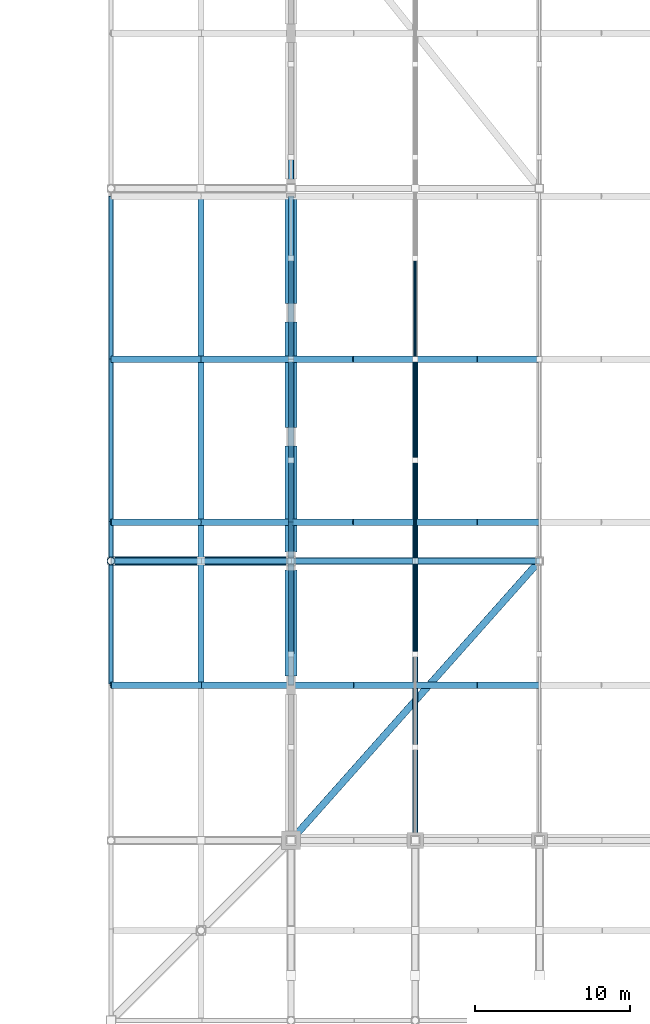
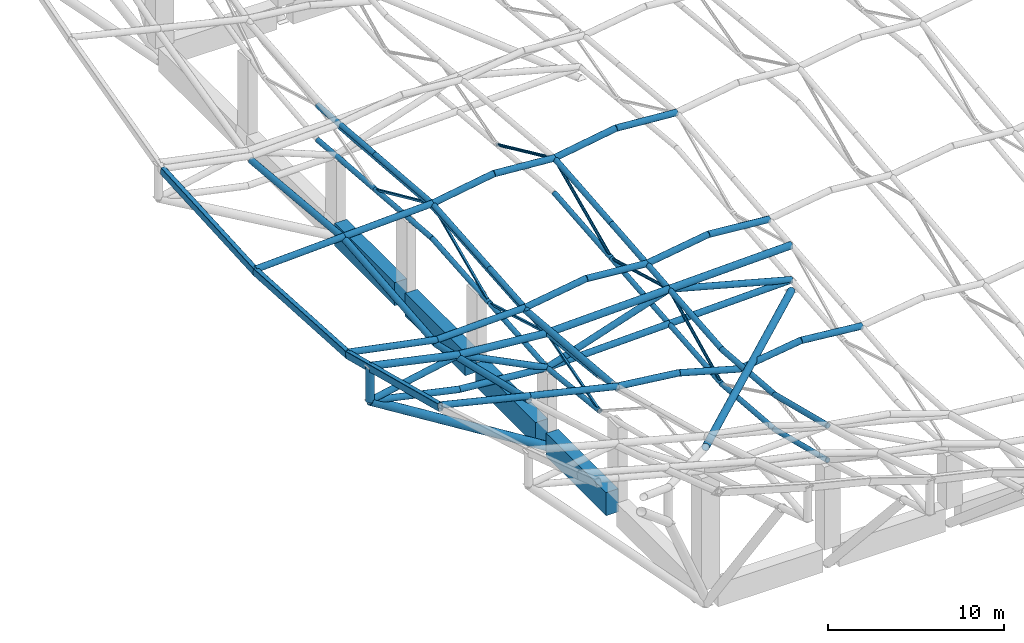
# One storey, part 3 of 75: 67 members, 7 beams.
"""IFC4 building model written with IfcOpenShell, lengths in metres."""

from ifc_helpers import new_model, si_unit, direction, frame, origin, origin_2d, place, context, subcontext, project, spatial, rectangle, hollow_rectangle, hollow_circle, extrude, material, material_profile, profile_set, type_object, element, save


model = new_model("IFC4")

# Units and contexts
model_context = context("Model", 3, precision=1e-05, world=origin(), true_north=direction((0.0, 1.0)))
body_context = subcontext(model_context, "Body", "Model", "MODEL_VIEW")
ifc_project = project(units=[si_unit("LENGTHUNIT", "METRE"), si_unit("AREAUNIT", "SQUARE_METRE"), si_unit("VOLUMEUNIT", "CUBIC_METRE"), si_unit("PLANEANGLEUNIT", "RADIAN"), si_unit("MASSUNIT", "GRAM", prefix="KILO")], contexts=[model_context])

# Site, building, storey
site_placement = place(None, origin())
site = spatial("IfcSite", under=ifc_project, at=site_placement, CompositionType="ELEMENT")
building_placement = place(site_placement, origin())
building = spatial("IfcBuilding", under=site, at=building_placement, Name="Khorjan Park Terminus", CompositionType="ELEMENT")
storey_placement = place(building_placement, frame((0.0, 0.0, 16.2)))
storey = spatial("IfcBuildingStorey", under=building, at=storey_placement, Name="L03", CompositionType="ELEMENT", Elevation=16.2)

# Members
ifc_material_1 = material(Name="Steel S355", Category="steel")
ifc_material_profile_1 = material_profile(ifc_material_1, hollow_circle(Radius=0.0969, WallThickness=0.01, at=origin_2d()), Name="CHS 193.7x10")
ifc_profile_set_1 = profile_set([ifc_material_profile_1], Name="Steel S355")
member_type_1 = type_object("IfcMemberType", Name="MB-BR-194", PredefinedType="BRACE", material=ifc_profile_set_1)
member_1_placement = place(storey_placement, frame((56.0, 38.0, 3.7405), z_axis=(0.0, 0.898043521521, 0.439906619017), x_axis=(-1.0, 0.0, 0.0)))
element("IfcMember", 1, at=member_1_placement, inside=storey, type_object=member_type_1, Name="Upper shell fold space-truss web diagonal (2)", PredefinedType="BRACE", context=body_context, shape_type="SweptSolid", body=[
    extrude(hollow_circle(Radius=0.0969, WallThickness=0.01, at=origin_2d()), origin(), (0.0, 0.0, 1.0), 6.6812),
])
member_2_placement = place(storey_placement, frame((56.0, 44.0, 6.6796), z_axis=(0.0, 0.96311775067, -0.269080282341), x_axis=(-1.0, 0.0, 0.0)))
element("IfcMember", 2, at=member_2_placement, inside=storey, type_object=member_type_1, Name="Upper shell fold space-truss web diagonal (2)", PredefinedType="BRACE", context=body_context, shape_type="SweptSolid", body=[
    extrude(hollow_circle(Radius=0.0969, WallThickness=0.01, at=origin_2d()), origin(), (0.0, 0.0, 1.0), 6.7489),
])
for number, where, z_axis, x_axis, name in (
    (3, (56.0, 50.5, 4.8636), (0.0, 0.908808688461, 0.417213096364), (-1.0, 0.0, 0.0), "Upper shell fold space-truss web diagonal (2)"),
    (4, (56.0, 57.0, 7.8476), (0.0, 0.908808688461, -0.417213096364), (-1.0, 0.0, 0.0), "Upper shell fold space-truss web diagonal (2)"),
):
    element("IfcMember", number, at=place(storey_placement, frame(where, z_axis=z_axis, x_axis=x_axis)), inside=storey, type_object=member_type_1, Name=name, PredefinedType="BRACE", context=body_context, shape_type="SweptSolid", body=[
        extrude(hollow_circle(Radius=0.0969, WallThickness=0.01, at=origin_2d()), origin(), (0.0, 0.0, 1.0), 7.1522),
    ])
ifc_material_profile_2 = material_profile(ifc_material_1, hollow_rectangle(XDim=0.15, YDim=0.15, WallThickness=0.01, InnerFilletRadius=0.01, OuterFilletRadius=0.02, at=origin_2d()), Name="SHS 150x150x10")
ifc_profile_set_2 = profile_set([ifc_material_profile_2], Name="Steel S355")
member_type_2 = type_object("IfcMemberType", Name="MB-BR-SHS150", PredefinedType="BRACE", material=ifc_profile_set_2)
member_3_placement = place(storey_placement, frame((48.0, 38.0, 4.6833), z_axis=(0.0, 0.959849356938, 0.280515974565), x_axis=(-1.0, 0.0, 0.0)))
element("IfcMember", 5, at=member_3_placement, inside=storey, type_object=member_type_2, Name="Upper shell fold space-truss web diagonal (1)", PredefinedType="BRACE", context=body_context, shape_type="SweptSolid", body=[
    extrude(hollow_rectangle(XDim=0.15, YDim=0.15, WallThickness=0.01, InnerFilletRadius=0.01, OuterFilletRadius=0.02, at=origin_2d()), origin(), (0.0, 0.0, 1.0), 6.251),
])
member_4_placement = place(storey_placement, frame((48.0, 44.0, 6.4368), z_axis=(0.0, 0.961047706575, -0.276382535062), x_axis=(-1.0, 0.0, 0.0)))
element("IfcMember", 6, at=member_4_placement, inside=storey, type_object=member_type_2, Name="Upper shell fold space-truss web diagonal (1)", PredefinedType="BRACE", context=body_context, shape_type="SweptSolid", body=[
    extrude(hollow_rectangle(XDim=0.15, YDim=0.15, WallThickness=0.01, InnerFilletRadius=0.01, OuterFilletRadius=0.02, at=origin_2d()), origin(), (0.0, 0.0, 1.0), 6.7635),
])
for number, where, z_axis, x_axis, name in (
    (7, (48.0, 50.5, 4.5675), (0.0, 0.91162210268, 0.411029368665), (-1.0, 0.0, 0.0), "Upper shell fold space-truss web diagonal (1)"),
    (8, (48.0, 57.0, 7.4982), (0.0, 0.91162210268, -0.411029368665), (-1.0, 0.0, 0.0), "Upper shell fold space-truss web diagonal (1)"),
):
    element("IfcMember", number, at=place(storey_placement, frame(where, z_axis=z_axis, x_axis=x_axis)), inside=storey, type_object=member_type_2, Name=name, PredefinedType="BRACE", context=body_context, shape_type="SweptSolid", body=[
        extrude(hollow_rectangle(XDim=0.15, YDim=0.15, WallThickness=0.01, InnerFilletRadius=0.01, OuterFilletRadius=0.02, at=origin_2d()), origin(), (0.0, 0.0, 1.0), 7.1301),
    ])
ifc_material_profile_3 = material_profile(ifc_material_1, hollow_circle(Radius=0.162, WallThickness=0.0125, at=origin_2d()), Name="CHS 323.9x12.5")
ifc_profile_set_3 = profile_set([ifc_material_profile_3], Name="Steel S355")
member_type_3 = type_object("IfcMemberType", Name="MB-CH-324", PredefinedType="CHORD", material=ifc_profile_set_3)
member_5_placement = place(storey_placement, frame((48.0, 38.0, 4.6833), z_axis=(0.0, 0.994245032198, -0.107129902219), x_axis=(-1.0, 0.0, 0.0)))
element("IfcMember", 9, at=member_5_placement, inside=storey, type_object=member_type_3, Name="Upper shell fold space-truss bottom chord (1)", PredefinedType="CHORD", context=body_context, shape_type="SweptSolid", body=[
    extrude(hollow_circle(Radius=0.162, WallThickness=0.0125, at=origin_2d()), origin(), (0.0, 0.0, 1.0), 6.0347),
])
for number, where, z_axis, x_axis, name in (
    (10, (48.0, 44.0, 4.0368), (0.0, 0.996683524555, 0.081375376382), (-1.0, 0.0, 0.0), "Upper shell fold space-truss bottom chord (1)"),
    (11, (48.0, 50.5, 4.5675), (0.0, 0.996683524555, 0.081375376382), (-1.0, 0.0, 0.0), "Upper shell fold space-truss bottom chord (1)"),
    (12, (48.0, 57.0, 5.0982), (0.0, 0.996683524555, -0.081375376382), (-1.0, 0.0, 0.0), "Upper shell fold space-truss bottom chord (1)"),
    (13, (48.0, 63.5, 4.5675), (0.0, 0.996683524555, -0.081375376382), (-1.0, 0.0, 0.0), "Upper shell fold space-truss bottom chord (1)"),
):
    element("IfcMember", number, at=place(storey_placement, frame(where, z_axis=z_axis, x_axis=x_axis)), inside=storey, type_object=member_type_3, Name=name, PredefinedType="CHORD", context=body_context, shape_type="SweptSolid", body=[
        extrude(hollow_circle(Radius=0.162, WallThickness=0.0125, at=origin_2d()), origin(), (0.0, 0.0, 1.0), 6.5216),
    ])
member_6_placement = place(storey_placement, frame((56.0, 26.0, 5.741), z_axis=(0.0, 0.970062560013, -0.242855161899), x_axis=(-1.0, 0.0, 0.0)))
element("IfcMember", 14, at=member_6_placement, inside=storey, type_object=member_type_3, Name="Upper shell fold space-truss bottom chord (2)", PredefinedType="CHORD", context=body_context, shape_type="SweptSolid", body=[
    extrude(hollow_circle(Radius=0.162, WallThickness=0.0125, at=origin_2d()), origin(), (0.0, 0.0, 1.0), 6.1852),
])
member_7_placement = place(storey_placement, frame((56.0, 32.0, 4.2389), z_axis=(0.0, 0.996567716516, -0.082781558319), x_axis=(-1.0, 0.0, 0.0)))
element("IfcMember", 15, at=member_7_placement, inside=storey, type_object=member_type_3, Name="Upper shell fold space-truss bottom chord (2)", PredefinedType="CHORD", context=body_context, shape_type="SweptSolid", body=[
    extrude(hollow_circle(Radius=0.162, WallThickness=0.0125, at=origin_2d()), origin(), (0.0, 0.0, 1.0), 6.0207),
])
member_8_placement = place(storey_placement, frame((56.0, 38.0, 3.7405), z_axis=(0.0, 0.995987765616, 0.089489500741), x_axis=(-1.0, 0.0, 0.0)))
element("IfcMember", 16, at=member_8_placement, inside=storey, type_object=member_type_3, Name="Upper shell fold space-truss bottom chord (2)", PredefinedType="CHORD", context=body_context, shape_type="SweptSolid", body=[
    extrude(hollow_circle(Radius=0.162, WallThickness=0.0125, at=origin_2d()), origin(), (0.0, 0.0, 1.0), 6.0242),
])
for number, where, z_axis, x_axis, name in (
    (17, (56.0, 44.0, 4.2796), (0.0, 0.995988107043, 0.089485700694), (-1.0, 0.0, 0.0), "Upper shell fold space-truss bottom chord (2)"),
    (18, (56.0, 50.5, 4.8636), (0.0, 0.995988107043, 0.089485700694), (-1.0, 0.0, 0.0), "Upper shell fold space-truss bottom chord (2)"),
):
    element("IfcMember", number, at=place(storey_placement, frame(where, z_axis=z_axis, x_axis=x_axis)), inside=storey, type_object=member_type_3, Name=name, PredefinedType="CHORD", context=body_context, shape_type="SweptSolid", body=[
        extrude(hollow_circle(Radius=0.162, WallThickness=0.0125, at=origin_2d()), origin(), (0.0, 0.0, 1.0), 6.5262),
    ])
ifc_material_profile_4 = material_profile(ifc_material_1, hollow_circle(Radius=0.1778, WallThickness=0.016, at=origin_2d()), Name="CHS 355.6x16")
ifc_profile_set_4 = profile_set([ifc_material_profile_4], Name="Steel S355")
member_type_4 = type_object("IfcMemberType", Name="MB-CH-356", PredefinedType="CHORD", material=ifc_profile_set_4)
member_9_placement = place(storey_placement, frame((48.0, 38.0, 7.0833), z_axis=(0.0, 0.994245032198, -0.107129902219), x_axis=(-1.0, 0.0, 0.0)))
element("IfcMember", 19, at=member_9_placement, inside=storey, type_object=member_type_4, Name="Upper shell fold space-truss top chord (1)", PredefinedType="CHORD", context=body_context, shape_type="SweptSolid", body=[
    extrude(hollow_circle(Radius=0.1778, WallThickness=0.016, at=origin_2d()), origin(), (0.0, 0.0, 1.0), 6.0347),
])
for number, where, z_axis, x_axis, name in (
    (20, (48.0, 44.0, 6.4368), (0.0, 0.996683524555, 0.081375376382), (-1.0, 0.0, 0.0), "Upper shell fold space-truss top chord (1)"),
    (21, (48.0, 50.5, 6.9675), (0.0, 0.996683524555, 0.081375376382), (-1.0, 0.0, 0.0), "Upper shell fold space-truss top chord (1)"),
    (22, (48.0, 57.0, 7.4982), (0.0, 0.996683524555, -0.081375376382), (-1.0, 0.0, 0.0), "Upper shell fold space-truss top chord (1)"),
    (23, (48.0, 63.5, 6.9675), (0.0, 0.996683524555, -0.081375376382), (-1.0, 0.0, 0.0), "Upper shell fold space-truss top chord (1)"),
):
    element("IfcMember", number, at=place(storey_placement, frame(where, z_axis=z_axis, x_axis=x_axis)), inside=storey, type_object=member_type_4, Name=name, PredefinedType="CHORD", context=body_context, shape_type="SweptSolid", body=[
        extrude(hollow_circle(Radius=0.1778, WallThickness=0.016, at=origin_2d()), origin(), (0.0, 0.0, 1.0), 6.5216),
    ])
member_10_placement = place(storey_placement, frame((56.0, 26.0, 8.141), z_axis=(0.0, 0.970062560013, -0.242855161899), x_axis=(-1.0, 0.0, 0.0)))
element("IfcMember", 24, at=member_10_placement, inside=storey, type_object=member_type_4, Name="Upper shell fold space-truss top chord (2)", PredefinedType="CHORD", context=body_context, shape_type="SweptSolid", body=[
    extrude(hollow_circle(Radius=0.1778, WallThickness=0.016, at=origin_2d()), origin(), (0.0, 0.0, 1.0), 6.1852),
])
member_11_placement = place(storey_placement, frame((56.0, 32.0, 6.6389), z_axis=(0.0, 0.996567716516, -0.082781558319), x_axis=(-1.0, 0.0, 0.0)))
element("IfcMember", 25, at=member_11_placement, inside=storey, type_object=member_type_4, Name="Upper shell fold space-truss top chord (2)", PredefinedType="CHORD", context=body_context, shape_type="SweptSolid", body=[
    extrude(hollow_circle(Radius=0.1778, WallThickness=0.016, at=origin_2d()), origin(), (0.0, 0.0, 1.0), 6.0207),
])
member_12_placement = place(storey_placement, frame((56.0, 38.0, 6.1405), z_axis=(0.0, 0.995987765616, 0.089489500741), x_axis=(-1.0, 0.0, 0.0)))
element("IfcMember", 26, at=member_12_placement, inside=storey, type_object=member_type_4, Name="Upper shell fold space-truss top chord (2)", PredefinedType="CHORD", context=body_context, shape_type="SweptSolid", body=[
    extrude(hollow_circle(Radius=0.1778, WallThickness=0.016, at=origin_2d()), origin(), (0.0, 0.0, 1.0), 6.0242),
])
for number, where, z_axis, x_axis, name in (
    (27, (56.0, 44.0, 6.6796), (0.0, 0.995988107043, 0.089485700694), (-1.0, 0.0, 0.0), "Upper shell fold space-truss top chord (2)"),
    (28, (56.0, 50.5, 7.2636), (0.0, 0.995988107043, 0.089485700694), (-1.0, 0.0, 0.0), "Upper shell fold space-truss top chord (2)"),
):
    element("IfcMember", number, at=place(storey_placement, frame(where, z_axis=z_axis, x_axis=x_axis)), inside=storey, type_object=member_type_4, Name=name, PredefinedType="CHORD", context=body_context, shape_type="SweptSolid", body=[
        extrude(hollow_circle(Radius=0.1778, WallThickness=0.016, at=origin_2d()), origin(), (0.0, 0.0, 1.0), 6.5262),
    ])
ifc_material_profile_5 = material_profile(ifc_material_1, hollow_circle(Radius=0.2032, WallThickness=0.016, at=origin_2d()), Name="CHS 406.4x16")
ifc_profile_set_5 = profile_set([ifc_material_profile_5], Name="Steel S355")
member_type_5 = type_object("IfcMemberType", Name="MB-CH-406", PredefinedType="CHORD", material=ifc_profile_set_5)
member_13_placement = place(storey_placement, frame((48.0, 36.0, 7.6014), z_axis=(0.992996736267, 0.0, -0.118141786697), x_axis=(0.0, 1.0, 0.0)))
element("IfcMember", 29, at=member_13_placement, inside=storey, type_object=member_type_5, Name="Upper shell fold rib chord (91)", PredefinedType="CHORD", context=body_context, shape_type="SweptSolid", body=[
    extrude(hollow_circle(Radius=0.2032, WallThickness=0.016, at=origin_2d()), origin(), (0.0, 0.0, 1.0), 4.0282),
])
member_14_placement = place(storey_placement, frame((52.0, 36.0, 7.1255), z_axis=(0.962669755627, 0.0, -0.270678668538), x_axis=(0.0, 1.0, 0.0)))
element("IfcMember", 30, at=member_14_placement, inside=storey, type_object=member_type_5, Name="Upper shell fold rib chord (92)", PredefinedType="CHORD", context=body_context, shape_type="SweptSolid", body=[
    extrude(hollow_circle(Radius=0.2032, WallThickness=0.016, at=origin_2d()), origin(), (0.0, 0.0, 1.0), 4.1551),
])
member_15_placement = place(storey_placement, frame((56.0, 36.0, 6.0008), z_axis=(0.990150474603, 0.0, 0.140007277109), x_axis=(0.0, 1.0, 0.0)))
element("IfcMember", 31, at=member_15_placement, inside=storey, type_object=member_type_5, Name="Upper shell fold rib chord (93)", PredefinedType="CHORD", context=body_context, shape_type="SweptSolid", body=[
    extrude(hollow_circle(Radius=0.2032, WallThickness=0.016, at=origin_2d()), origin(), (0.0, 0.0, 1.0), 4.0398),
])
member_16_placement = place(storey_placement, frame((60.0, 36.0, 6.5664), z_axis=(0.995316476949, 0.0, -0.096670112824), x_axis=(0.0, 1.0, 0.0)))
element("IfcMember", 32, at=member_16_placement, inside=storey, type_object=member_type_5, Name="Upper shell fold rib chord (94)", PredefinedType="CHORD", context=body_context, shape_type="SweptSolid", body=[
    extrude(hollow_circle(Radius=0.2032, WallThickness=0.016, at=origin_2d()), origin(), (0.0, 0.0, 1.0), 4.0188),
])
member_17_placement = place(storey_placement, frame((48.0, 46.5, 6.6809), z_axis=(0.988618677516, 0.0, 0.150443047251), x_axis=(0.0, 1.0, 0.0)))
element("IfcMember", 33, at=member_17_placement, inside=storey, type_object=member_type_5, Name="Upper shell fold rib chord (117)", PredefinedType="CHORD", context=body_context, shape_type="SweptSolid", body=[
    extrude(hollow_circle(Radius=0.2032, WallThickness=0.016, at=origin_2d()), origin(), (0.0, 0.0, 1.0), 4.046),
])
member_18_placement = place(storey_placement, frame((52.0, 46.5, 7.2896), z_axis=(0.996292558823, 0.0, -0.086029862454), x_axis=(0.0, 1.0, 0.0)))
element("IfcMember", 34, at=member_18_placement, inside=storey, type_object=member_type_5, Name="Upper shell fold rib chord (118)", PredefinedType="CHORD", context=body_context, shape_type="SweptSolid", body=[
    extrude(hollow_circle(Radius=0.2032, WallThickness=0.016, at=origin_2d()), origin(), (0.0, 0.0, 1.0), 4.0149),
])
member_19_placement = place(storey_placement, frame((56.0, 46.5, 6.9442), z_axis=(0.988618677516, 0.0, 0.150443047251), x_axis=(0.0, 1.0, 0.0)))
element("IfcMember", 35, at=member_19_placement, inside=storey, type_object=member_type_5, Name="Upper shell fold rib chord (119)", PredefinedType="CHORD", context=body_context, shape_type="SweptSolid", body=[
    extrude(hollow_circle(Radius=0.2032, WallThickness=0.016, at=origin_2d()), origin(), (0.0, 0.0, 1.0), 4.046),
])
member_20_placement = place(storey_placement, frame((60.0, 46.5, 7.5529), z_axis=(0.996292558823, 0.0, -0.086029862454), x_axis=(0.0, 1.0, 0.0)))
element("IfcMember", 36, at=member_20_placement, inside=storey, type_object=member_type_5, Name="Upper shell fold rib chord (120)", PredefinedType="CHORD", context=body_context, shape_type="SweptSolid", body=[
    extrude(hollow_circle(Radius=0.2032, WallThickness=0.016, at=origin_2d()), origin(), (0.0, 0.0, 1.0), 4.0149),
])
member_21_placement = place(storey_placement, frame((48.0, 57.0, 7.5382), z_axis=(0.986986239924, 0.0, 0.16080473314), x_axis=(0.0, 1.0, 0.0)))
element("IfcMember", 37, at=member_21_placement, inside=storey, type_object=member_type_5, Name="Upper shell fold rib chord (143)", PredefinedType="CHORD", context=body_context, shape_type="SweptSolid", body=[
    extrude(hollow_circle(Radius=0.2032, WallThickness=0.016, at=origin_2d()), origin(), (0.0, 0.0, 1.0), 4.0527),
])
member_22_placement = place(storey_placement, frame((52.0, 57.0, 8.1899), z_axis=(0.997156385058, 0.0, -0.075360093801), x_axis=(0.0, 1.0, 0.0)))
element("IfcMember", 38, at=member_22_placement, inside=storey, type_object=member_type_5, Name="Upper shell fold rib chord (144)", PredefinedType="CHORD", context=body_context, shape_type="SweptSolid", body=[
    extrude(hollow_circle(Radius=0.2032, WallThickness=0.016, at=origin_2d()), origin(), (0.0, 0.0, 1.0), 4.0114),
])
member_23_placement = place(storey_placement, frame((56.0, 57.0, 7.8876), z_axis=(0.986982323482, 0.0, 0.160828769611), x_axis=(0.0, 1.0, 0.0)))
element("IfcMember", 39, at=member_23_placement, inside=storey, type_object=member_type_5, Name="Upper shell fold rib chord (145)", PredefinedType="CHORD", context=body_context, shape_type="SweptSolid", body=[
    extrude(hollow_circle(Radius=0.2032, WallThickness=0.016, at=origin_2d()), origin(), (0.0, 0.0, 1.0), 4.0528),
])
member_24_placement = place(storey_placement, frame((60.0, 57.0, 8.5394), z_axis=(0.997156385058, 0.0, -0.075360093801), x_axis=(0.0, 1.0, 0.0)))
element("IfcMember", 40, at=member_24_placement, inside=storey, type_object=member_type_5, Name="Upper shell fold rib chord (146)", PredefinedType="CHORD", context=body_context, shape_type="SweptSolid", body=[
    extrude(hollow_circle(Radius=0.2032, WallThickness=0.016, at=origin_2d()), origin(), (0.0, 0.0, 1.0), 4.0114),
])
for number, where, z_axis, x_axis, name in (
    (41, (48.0, 44.0, 4.0368), (0.999539756681, 0.0, 0.030336031615), (0.0, 1.0, 0.0), "Upper shell longitudinal truss bottom chord (W2)"),
    (42, (56.0, 44.0, 4.2796), (0.999539756681, 0.0, 0.030336031615), (0.0, 1.0, 0.0), "Upper shell longitudinal truss bottom chord (W2)"),
):
    element("IfcMember", number, at=place(storey_placement, frame(where, z_axis=z_axis, x_axis=x_axis)), inside=storey, type_object=member_type_5, Name=name, PredefinedType="CHORD", context=body_context, shape_type="SweptSolid", body=[
        extrude(hollow_circle(Radius=0.2032, WallThickness=0.016, at=origin_2d()), origin(), (0.0, 0.0, 1.0), 8.0037),
    ])
ifc_material_profile_6 = material_profile(ifc_material_1, hollow_circle(Radius=0.2285, WallThickness=0.016, at=origin_2d()), Name="CHS 457x16")
ifc_profile_set_6 = profile_set([ifc_material_profile_6], Name="Steel S355")
member_type_6 = type_object("IfcMemberType", Name="MB-CH-457", PredefinedType="CHORD", material=ifc_profile_set_6)
for number, where, z_axis, x_axis, name in (
    (43, (48.0, 44.0, 6.4368), (0.999539756681, 0.0, 0.030336031615), (0.0, 1.0, 0.0), "Upper shell longitudinal truss top chord (W2)"),
    (44, (56.0, 44.0, 6.6796), (0.999539756681, 0.0, 0.030336031615), (0.0, 1.0, 0.0), "Upper shell longitudinal truss top chord (W2)"),
):
    element("IfcMember", number, at=place(storey_placement, frame(where, z_axis=z_axis, x_axis=x_axis)), inside=storey, type_object=member_type_6, Name=name, PredefinedType="CHORD", context=body_context, shape_type="SweptSolid", body=[
        extrude(hollow_circle(Radius=0.2285, WallThickness=0.016, at=origin_2d()), origin(), (0.0, 0.0, 1.0), 8.0037),
    ])
ifc_material_profile_7 = material_profile(ifc_material_1, hollow_circle(Radius=0.2032, WallThickness=0.016, at=origin_2d()), Name="CHS 406.4x16")
ifc_profile_set_7 = profile_set([ifc_material_profile_7], Name="Steel S355")
member_type_7 = type_object("IfcMemberType", Name="MB-CHE-406", PredefinedType="CHORD", material=ifc_profile_set_7)
member_25_placement = place(storey_placement, frame((42.2, 36.0, 8.6889), z_axis=(0.0, 0.972410414812, -0.233276627988), x_axis=(-1.0, 0.0, 0.0)))
element("IfcMember", 45, at=member_25_placement, inside=storey, type_object=member_type_7, Name="Upper shell overhang fold purlin TCE-41 (Y4)", PredefinedType="CHORD", context=body_context, shape_type="SweptSolid", body=[
    extrude(hollow_circle(Radius=0.2032, WallThickness=0.016, at=origin_2d()), origin(), (0.0, 0.0, 1.0), 10.7979),
])
for number, where, z_axis, x_axis, name in (
    (46, (42.2, 46.5, 6.17), (0.0, 0.995717329661, 0.092449983303), (-1.0, 0.0, 0.0), "Upper shell overhang fold purlin TCE-41 (Y5)"),
    (47, (42.2, 57.0, 7.1449), (0.0, 0.995717329661, -0.092449983303), (-1.0, 0.0, 0.0), "Upper shell overhang fold purlin TCE-41 (Y6)"),
):
    element("IfcMember", number, at=place(storey_placement, frame(where, z_axis=z_axis, x_axis=x_axis)), inside=storey, type_object=member_type_7, Name=name, PredefinedType="CHORD", context=body_context, shape_type="SweptSolid", body=[
        extrude(hollow_circle(Radius=0.2032, WallThickness=0.016, at=origin_2d()), origin(), (0.0, 0.0, 1.0), 10.5452),
    ])
member_26_placement = place(storey_placement, frame((48.0, 36.0, 7.4614), z_axis=(0.0, 0.996179286637, -0.087331717462), x_axis=(-1.0, 0.0, 0.0)))
element("IfcMember", 48, at=member_26_placement, inside=storey, type_object=member_type_7, Name="Upper shell overhang fold purlin TCE-41 (Y14)", PredefinedType="CHORD", context=body_context, shape_type="SweptSolid", body=[
    extrude(hollow_circle(Radius=0.2032, WallThickness=0.016, at=origin_2d()), origin(), (0.0, 0.0, 1.0), 10.5403),
])
for number, where, z_axis, x_axis, name in (
    (49, (48.0, 46.5, 6.5409), (0.0, 0.996683406112, 0.081376827053), (-1.0, 0.0, 0.0), "Upper shell overhang fold purlin TCE-41 (Y15)"),
    (50, (48.0, 57.0, 7.3982), (0.0, 0.996683406112, -0.081376827053), (-1.0, 0.0, 0.0), "Upper shell overhang fold purlin TCE-41 (Y16)"),
):
    element("IfcMember", number, at=place(storey_placement, frame(where, z_axis=z_axis, x_axis=x_axis)), inside=storey, type_object=member_type_7, Name=name, PredefinedType="CHORD", context=body_context, shape_type="SweptSolid", body=[
        extrude(hollow_circle(Radius=0.2032, WallThickness=0.016, at=origin_2d()), origin(), (0.0, 0.0, 1.0), 10.5349),
    ])
member_27_placement = place(storey_placement, frame((36.4, 36.0, 10.359), z_axis=(0.972269251704, 0.0, -0.233864281561), x_axis=(0.0, 1.0, 0.0)))
element("IfcMember", 51, at=member_27_placement, inside=storey, type_object=member_type_7, Name="Upper shell fold rib chord (89)", PredefinedType="CHORD", context=body_context, shape_type="SweptSolid", body=[
    extrude(hollow_circle(Radius=0.2032, WallThickness=0.016, at=origin_2d()), origin(), (0.0, 0.0, 1.0), 5.9654),
])
member_28_placement = place(storey_placement, frame((42.2, 36.0, 8.9639), z_axis=(0.973499651722, 0.0, -0.228688495771), x_axis=(0.0, 1.0, 0.0)))
element("IfcMember", 52, at=member_28_placement, inside=storey, type_object=member_type_7, Name="Upper shell fold rib chord (90)", PredefinedType="CHORD", context=body_context, shape_type="SweptSolid", body=[
    extrude(hollow_circle(Radius=0.2032, WallThickness=0.016, at=origin_2d()), origin(), (0.0, 0.0, 1.0), 5.9579),
])
member_29_placement = place(storey_placement, frame((36.4, 46.5, 7.6468), z_axis=(0.980684589092, 0.0, -0.195595850459), x_axis=(0.0, 1.0, 0.0)))
element("IfcMember", 53, at=member_29_placement, inside=storey, type_object=member_type_7, Name="Upper shell fold rib chord (115)", PredefinedType="CHORD", context=body_context, shape_type="SweptSolid", body=[
    extrude(hollow_circle(Radius=0.2032, WallThickness=0.016, at=origin_2d()), origin(), (0.0, 0.0, 1.0), 5.9142),
])
member_30_placement = place(storey_placement, frame((42.2, 46.5, 6.49), z_axis=(0.999458780806, 0.0, 0.032895979527), x_axis=(0.0, 1.0, 0.0)))
element("IfcMember", 54, at=member_30_placement, inside=storey, type_object=member_type_7, Name="Upper shell fold rib chord (116)", PredefinedType="CHORD", context=body_context, shape_type="SweptSolid", body=[
    extrude(hollow_circle(Radius=0.2032, WallThickness=0.016, at=origin_2d()), origin(), (0.0, 0.0, 1.0), 5.8031),
])
for number, where, z_axis, x_axis, name in (
    (55, (36.4, 57.0, 7.0316), (0.999047722116, 0.0, 0.043630825519), (0.0, 1.0, 0.0), "Upper shell fold rib chord (141)"),
    (56, (42.2, 57.0, 7.2849), (0.999047722116, 0.0, 0.043630825519), (0.0, 1.0, 0.0), "Upper shell fold rib chord (142)"),
):
    element("IfcMember", number, at=place(storey_placement, frame(where, z_axis=z_axis, x_axis=x_axis)), inside=storey, type_object=member_type_7, Name=name, PredefinedType="CHORD", context=body_context, shape_type="SweptSolid", body=[
        extrude(hollow_circle(Radius=0.2032, WallThickness=0.016, at=origin_2d()), origin(), (0.0, 0.0, 1.0), 5.8055),
    ])
member_31_placement = place(storey_placement, frame((36.4, 44.0, 5.8145), z_axis=(0.97749951711, 0.0, -0.210937654416), x_axis=(0.0, 1.0, 0.0)))
element("IfcMember", 57, at=member_31_placement, inside=storey, type_object=member_type_7, Name="Upper shell longitudinal truss bottom chord (W2)", PredefinedType="CHORD", context=body_context, shape_type="SweptSolid", body=[
    extrude(hollow_circle(Radius=0.2032, WallThickness=0.016, at=origin_2d()), origin(), (0.0, 0.0, 1.0), 5.9335),
])
member_32_placement = place(storey_placement, frame((42.2, 44.0, 4.5629), z_axis=(0.995911342542, 0.0, -0.090336027123), x_axis=(0.0, 1.0, 0.0)))
element("IfcMember", 58, at=member_32_placement, inside=storey, type_object=member_type_7, Name="Upper shell longitudinal truss bottom chord (W2)", PredefinedType="CHORD", context=body_context, shape_type="SweptSolid", body=[
    extrude(hollow_circle(Radius=0.2032, WallThickness=0.016, at=origin_2d()), origin(), (0.0, 0.0, 1.0), 5.8238),
])
ifc_material_profile_8 = material_profile(ifc_material_1, hollow_circle(Radius=0.2285, WallThickness=0.016, at=origin_2d()), Name="CHS 457x16")
ifc_profile_set_8 = profile_set([ifc_material_profile_8], Name="Steel S355")
member_type_8 = type_object("IfcMemberType", Name="MB-CHE-457", PredefinedType="CHORD", material=ifc_profile_set_8)
member_33_placement = place(storey_placement, frame((36.4, 44.0, 8.2145), z_axis=(0.97749951711, 0.0, -0.210937654416), x_axis=(0.0, 1.0, 0.0)))
element("IfcMember", 59, at=member_33_placement, inside=storey, type_object=member_type_8, Name="Upper shell longitudinal truss top chord (W2)", PredefinedType="CHORD", context=body_context, shape_type="SweptSolid", body=[
    extrude(hollow_circle(Radius=0.2285, WallThickness=0.016, at=origin_2d()), origin(), (0.0, 0.0, 1.0), 5.9335),
])
member_34_placement = place(storey_placement, frame((42.2, 44.0, 6.9629), z_axis=(0.995911342542, 0.0, -0.090336027123), x_axis=(0.0, 1.0, 0.0)))
element("IfcMember", 60, at=member_34_placement, inside=storey, type_object=member_type_8, Name="Upper shell longitudinal truss top chord (W2)", PredefinedType="CHORD", context=body_context, shape_type="SweptSolid", body=[
    extrude(hollow_circle(Radius=0.2285, WallThickness=0.016, at=origin_2d()), origin(), (0.0, 0.0, 1.0), 5.8238),
])
member_35_placement = place(storey_placement, frame((64.0, 44.0, 3.7524), z_axis=(-0.646519748924, -0.727334717539, 0.230209519598), x_axis=(0.747409318684, -0.66436383883, 0.0)))
element("IfcMember", 61, at=member_35_placement, inside=storey, type_object=member_type_8, Name="Upper shell upturned corner spine truss TCE-46 (SW)", PredefinedType="CHORD", context=body_context, shape_type="SweptSolid", body=[
    extrude(hollow_circle(Radius=0.2285, WallThickness=0.016, at=origin_2d()), origin(), (0.0, 0.0, 1.0), 24.7479),
])
ifc_material_profile_9 = material_profile(ifc_material_1, hollow_circle(Radius=0.2032, WallThickness=0.016, at=origin_2d()), Name="CHS 406.4x16")
ifc_profile_set_9 = profile_set([ifc_material_profile_9], Name="Steel S355")
member_type_9 = type_object("IfcMemberType", Name="MB-ST-406", PredefinedType="STRUT", material=ifc_profile_set_9)
member_36_placement = place(storey_placement, frame((48.0, 44.0, 4.0368), z_axis=(0.949529701387, 0.0, 0.313677136853), x_axis=(0.0, 1.0, 0.0)))
element("IfcMember", 62, at=member_36_placement, inside=storey, type_object=member_type_9, Name="Upper shell longitudinal truss diagonal (W2)", PredefinedType="STRUT", context=body_context, shape_type="SweptSolid", body=[
    extrude(hollow_circle(Radius=0.2032, WallThickness=0.016, at=origin_2d()), origin(), (0.0, 0.0, 1.0), 8.4252),
])
member_37_placement = place(storey_placement, frame((56.0, 44.0, 6.6796), z_axis=(0.96551407273, 0.0, -0.260350869712), x_axis=(0.0, 1.0, 0.0)))
element("IfcMember", 63, at=member_37_placement, inside=storey, type_object=member_type_9, Name="Upper shell longitudinal truss diagonal (W2)", PredefinedType="STRUT", context=body_context, shape_type="SweptSolid", body=[
    extrude(hollow_circle(Radius=0.2032, WallThickness=0.016, at=origin_2d()), origin(), (0.0, 0.0, 1.0), 8.2857),
])
ifc_material_profile_10 = material_profile(ifc_material_1, hollow_circle(Radius=0.2795, WallThickness=0.02, at=origin_2d()), Name="CHS 559x20")
ifc_profile_set_10 = profile_set([ifc_material_profile_10], Name="Steel S355")
member_type_10 = type_object("IfcMemberType", Name="MB-ST-CHS559", PredefinedType="STRUT", material=ifc_profile_set_10)
member_38_placement = place(storey_placement, frame((48.0, 44.0, -1.4), z_axis=(-0.849164215823, 0.0, 0.528128899574), x_axis=(0.0, -1.0, 0.0)))
element("IfcMember", 64, at=member_38_placement, inside=storey, type_object=member_type_10, Name="Upper shell raked longitudinal V-strut STE-56 (W2)", PredefinedType="STRUT", context=body_context, shape_type="SweptSolid", body=[
    extrude(hollow_circle(Radius=0.2795, WallThickness=0.02, at=origin_2d()), origin(), (0.0, 0.0, 1.0), 13.6605),
])
ifc_material_profile_11 = material_profile(ifc_material_1, hollow_circle(Radius=0.2032, WallThickness=0.016, at=origin_2d()), Name="CHS 406.4x16")
ifc_profile_set_11 = profile_set([ifc_material_profile_11], Name="Steel S355")
member_type_11 = type_object("IfcMemberType", Name="MB-STE-406", PredefinedType="STRUT", material=ifc_profile_set_11)
member_39_placement = place(storey_placement, frame((36.4, 44.0, 5.8145), z_axis=(0.980956151924, 0.0, 0.194229318081), x_axis=(0.0, 1.0, 0.0)))
element("IfcMember", 65, at=member_39_placement, inside=storey, type_object=member_type_11, Name="Upper shell longitudinal truss diagonal (W2)", PredefinedType="STRUT", context=body_context, shape_type="SweptSolid", body=[
    extrude(hollow_circle(Radius=0.2032, WallThickness=0.016, at=origin_2d()), origin(), (0.0, 0.0, 1.0), 5.9126),
])
member_40_placement = place(storey_placement, frame((42.2, 44.0, 6.9629), z_axis=(0.892814350146, 0.0, -0.450424839649), x_axis=(0.0, 1.0, 0.0)))
element("IfcMember", 66, at=member_40_placement, inside=storey, type_object=member_type_11, Name="Upper shell longitudinal truss diagonal (W2)", PredefinedType="STRUT", context=body_context, shape_type="SweptSolid", body=[
    extrude(hollow_circle(Radius=0.2032, WallThickness=0.016, at=origin_2d()), origin(), (0.0, 0.0, 1.0), 6.4963),
])
ifc_material_profile_12 = material_profile(ifc_material_1, hollow_circle(Radius=0.254, WallThickness=0.02, at=origin_2d()), Name="CHS 508x20")
ifc_profile_set_12 = profile_set([ifc_material_profile_12], Name="Steel S355")
member_type_12 = type_object("IfcMemberType", Name="MB-STE-508", PredefinedType="STRUT", material=ifc_profile_set_12)
member_41_placement = place(storey_placement, frame((36.4, 44.0, 5.8145), z_axis=(0.0, 0.0, 1.0), x_axis=(1.0, 0.0, 0.0)))
element("IfcMember", 67, at=member_41_placement, inside=storey, type_object=member_type_12, Name="Upper shell longitudinal tip post (W2)", PredefinedType="STRUT", context=body_context, shape_type="SweptSolid", body=[
    extrude(hollow_circle(Radius=0.254, WallThickness=0.02, at=origin_2d()), origin(), (0.0, 0.0, 1.0), 2.4),
])

# Beams
ifc_material_2 = material(Name="Concrete C50/60", Category="concrete")
ifc_material_profile_13 = material_profile(ifc_material_2, rectangle(XDim=0.8, YDim=1.6, at=origin_2d()), Name="RC 800x1600")
ifc_profile_set_13 = profile_set([ifc_material_profile_13], Name="Concrete C50/60")
beam_type_1 = type_object("IfcBeamType", Name="SP-RC800x1600", PredefinedType="SPANDREL", material=ifc_profile_set_13)
for number, where, z_axis, x_axis, name in (
    (68, (48.0, 36.594, -0.8), (0.0, 1.0, 0.0), (-1.0, 0.0, 0.0), "Concourse colonnade ring beam SP-16 (25)"),
    (69, (48.0, 44.594, -0.8), (0.0, 1.0, 0.0), (-1.0, 0.0, 0.0), "Concourse colonnade ring beam SP-16 (27)"),
    (70, (48.0, 52.594, -0.8), (0.0, 1.0, 0.0), (-1.0, 0.0, 0.0), "Concourse colonnade ring beam SP-16 (29)"),
    (71, (48.0, 60.594, -0.8), (0.0, 1.0, 0.0), (-1.0, 0.0, 0.0), "Concourse colonnade ring beam SP-16 (31)"),
):
    element("IfcBeam", number, at=place(storey_placement, frame(where, z_axis=z_axis, x_axis=x_axis)), inside=storey, type_object=beam_type_1, Name=name, PredefinedType="SPANDREL", context=body_context, shape_type="SweptSolid", body=[
        extrude(rectangle(XDim=0.8, YDim=1.6, at=origin_2d()), origin(), (0.0, 0.0, 1.0), 6.812),
    ])
ifc_material_profile_14 = material_profile(ifc_material_1, hollow_rectangle(XDim=0.3, YDim=0.5, WallThickness=0.016, InnerFilletRadius=0.016, OuterFilletRadius=0.032, at=origin_2d()), Name="RHS 500x300x16")
ifc_profile_set_14 = profile_set([ifc_material_profile_14], Name="Steel S355")
beam_type_2 = type_object("IfcBeamType", Name="SP-RHS500", PredefinedType="SPANDREL", material=ifc_profile_set_14)
beam_placement = place(storey_placement, frame((36.4, 36.0, 10.219), z_axis=(0.0, 0.968221018632, -0.250096099689), x_axis=(-1.0, 0.0, 0.0)))
element("IfcBeam", 72, at=beam_placement, inside=storey, type_object=beam_type_2, Name="Upper folded shell upturned perimeter edge beam SP-R50 (56)", PredefinedType="SPANDREL", context=body_context, shape_type="SweptSolid", body=[
    extrude(hollow_rectangle(XDim=0.3, YDim=0.5, WallThickness=0.016, InnerFilletRadius=0.016, OuterFilletRadius=0.032, at=origin_2d()), origin(), (0.0, 0.0, 1.0), 10.8446),
])
for number, where, z_axis, x_axis, name in (
    (73, (36.4, 46.5, 7.5068), (0.0, 0.998287984602, -0.058490168393), (-1.0, 0.0, 0.0), "Upper folded shell upturned perimeter edge beam SP-R50 (57)"),
    (74, (36.4, 57.0, 6.8916), (0.0, 0.998287984602, 0.058490168393), (-1.0, 0.0, 0.0), "Upper folded shell upturned perimeter edge beam SP-R50 (58)"),
):
    element("IfcBeam", number, at=place(storey_placement, frame(where, z_axis=z_axis, x_axis=x_axis)), inside=storey, type_object=beam_type_2, Name=name, PredefinedType="SPANDREL", context=body_context, shape_type="SweptSolid", body=[
        extrude(hollow_rectangle(XDim=0.3, YDim=0.5, WallThickness=0.016, InnerFilletRadius=0.016, OuterFilletRadius=0.032, at=origin_2d()), origin(), (0.0, 0.0, 1.0), 10.518),
    ])

save(model, "model.ifc")
